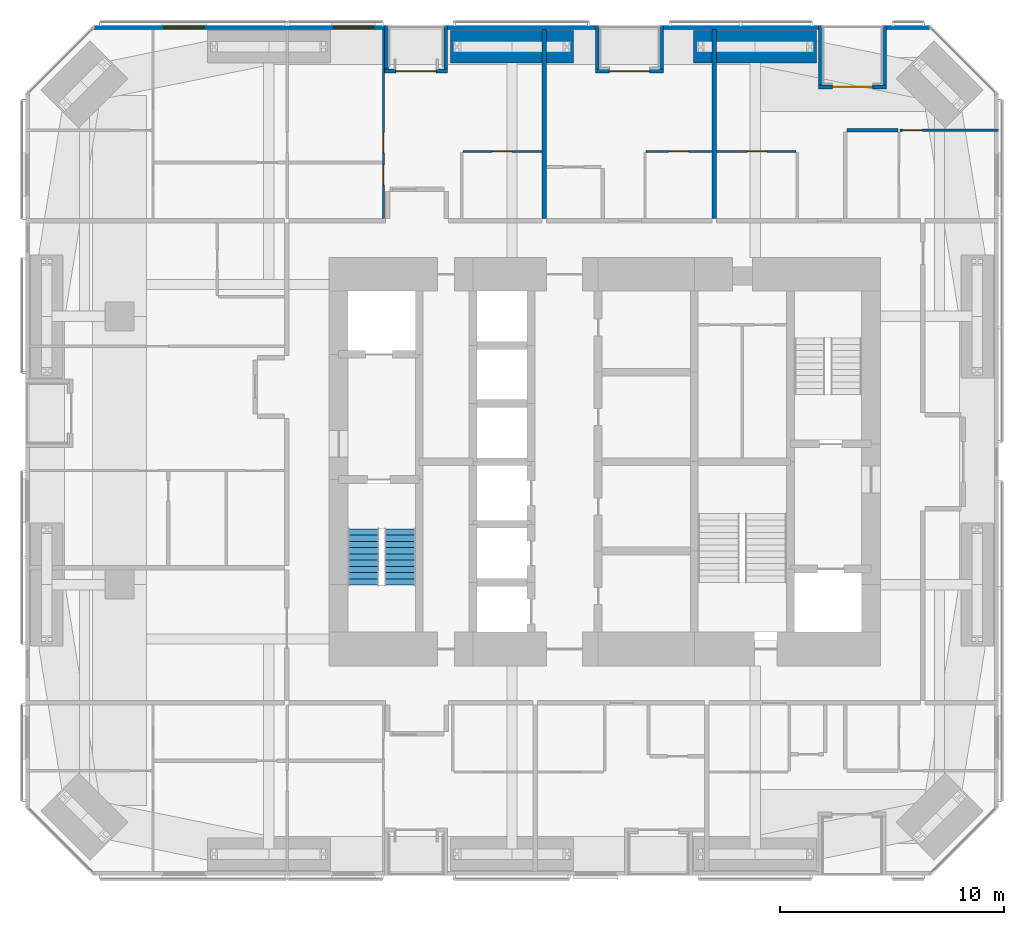
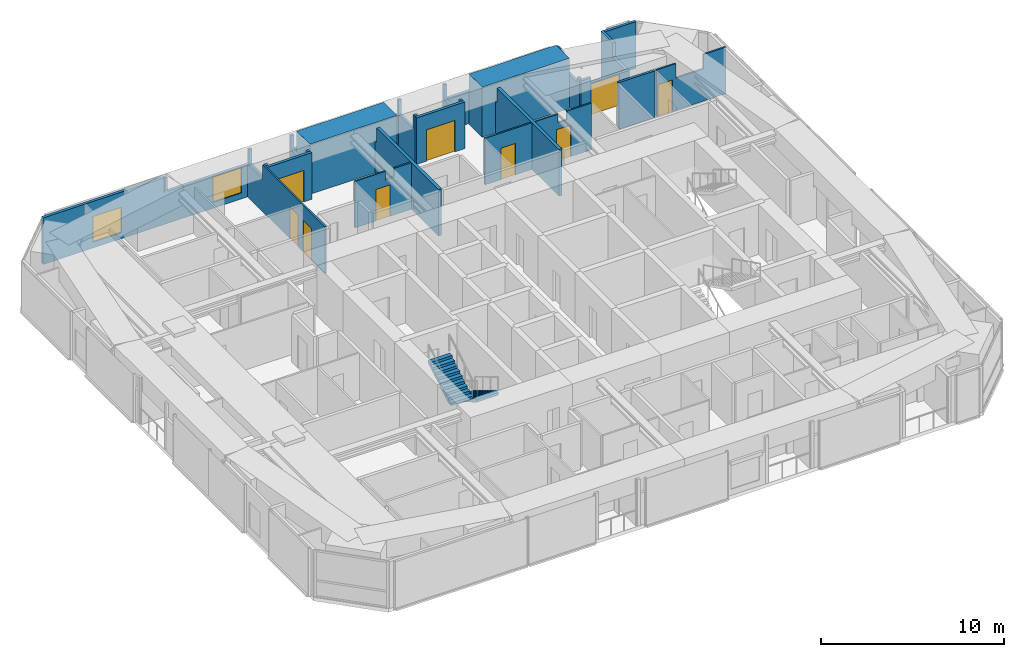
# One storey, part 23 of 25: 24 walls, 9 doors, 2 stair flights, 2 windows, 11 openings, 1 element without a shape of its own.
"""IFC4 building model written with IfcOpenShell, lengths in metres."""

from ifc_helpers import new_model, si_unit, direction, frame, frame_2d, origin, place, context, subcontext, project, spatial, polyline, rectangle, outline, extrude, material, layer, layer_set, constituent, constituent_set, type_object, element, fill, aggregate, save


model = new_model("IFC4")

# Units and contexts
model_context = context("Model", 3, precision=1e-05, world=origin(), true_north=direction((0.0, 1.0)))
body_context = subcontext(model_context, "Body", "Model", "MODEL_VIEW")
ifc_project = project(units=[si_unit("LENGTHUNIT", "METRE"), si_unit("AREAUNIT", "SQUARE_METRE"), si_unit("VOLUMEUNIT", "CUBIC_METRE"), si_unit("PLANEANGLEUNIT", "RADIAN"), si_unit("MASSUNIT", "GRAM", prefix="KILO")], contexts=[model_context])

# Site, building, storey
site_placement = place(None, origin())
site = spatial("IfcSite", under=ifc_project, at=site_placement, CompositionType="ELEMENT")
building_placement = place(site_placement, origin())
building = spatial("IfcBuilding", under=site, at=building_placement, Name="Jalousie Tower", CompositionType="ELEMENT")
storey_placement = place(building_placement, frame((0.0, 0.0, 94.800048828125)))
storey = spatial("IfcBuildingStorey", under=building, at=storey_placement, Name="L25", CompositionType="ELEMENT", Elevation=94.800048828125)

# Walls
ifc_material_1 = material(Name="Concrete block ASTM C90", Category="concrete")
ifc_constituent_1 = constituent(ifc_material_1, Name="Body")
ifc_material_2 = material(Name="Render")
ifc_constituent_2 = constituent(ifc_material_2, Name="Finish")
ifc_constituent_set_1 = constituent_set(constituents=[ifc_constituent_1, ifc_constituent_2])
wall_type_1 = type_object("IfcWallType", Name="BATHROOM WALL 150", PredefinedType="PLUMBINGWALL", material=ifc_constituent_set_1)
wall_1_placement = place(storey_placement, frame((42.72509765625, 33.32421875, 0.0), z_axis=(0.0, 0.0, 1.0), x_axis=(1.0, 0.0, 0.0)))
element("IfcWall", 1, at=wall_1_placement, inside=storey, type_object=wall_type_1, Name="Bathroom Wall 150 L25", PredefinedType="PLUMBINGWALL", context=body_context, shape_type="SweptSolid", body=[
    extrude(rectangle(XDim=2.27490234375, YDim=0.14990234375, at=frame_2d((1.137451171875, 0.0))), origin(), (0.0, 0.0, 1.0), 3.10986328125),
])
ifc_material_3 = material(Name="Concrete f'c 40 MPa", Category="concrete")
ifc_constituent_3 = constituent(ifc_material_3, Name="Body")
ifc_material_4 = material(Name="Render, pastel sea green")
ifc_constituent_4 = constituent(ifc_material_4, Name="Finish")
ifc_constituent_set_2 = constituent_set(constituents=[ifc_constituent_3, ifc_constituent_4])
wall_type_2 = type_object("IfcWallType", Name="EXTERNAL WALL 175 SEA GREEN RENDER", PredefinedType="SOLIDWALL", material=ifc_constituent_set_2)
wall_2_placement = place(storey_placement, frame((46.44873046875, 37.91259765625, 0.0), z_axis=(0.0, 0.0, 1.0), x_axis=(-1.0, 0.0, 0.0)))
element("IfcWall", 2, at=wall_2_placement, inside=storey, type_object=wall_type_2, Name="External Wall 175 Sea Green Render L25", PredefinedType="SOLIDWALL", context=body_context, shape_type="SweptSolid", body=[
    extrude(rectangle(XDim=1.949951171875, YDim=0.175048828125, at=frame_2d((0.97509765625, 0.0))), origin(), (0.0, 0.0, 1.0), 3.10986328125),
])
wall_3_placement = place(storey_placement, frame((41.44873046875, 37.91259765625, 0.0), z_axis=(0.0, 0.0, 1.0), x_axis=(-1.0, 0.0, 0.0)))
element("IfcWall", 3, at=wall_3_placement, inside=storey, type_object=wall_type_2, Name="External Wall 175 Sea Green Render L25", PredefinedType="SOLIDWALL", context=body_context, shape_type="SweptSolid", body=[
    extrude(outline(polyline([(0.0, 0.0), (6.923828125, 0.0), (6.923583984375, 2.14990234375), (2.82373046875, 2.14990234375), (2.82373046875, 3.10986328125), (2.66552734375, 3.10986328125), (2.66552734375, 2.14990234375), (2.620361328125, 2.14990234375), (2.620361328125, 3.10986328125), (0.0, 3.10986328125), (0.0, 0.0)])), frame((0.0, 0.08740234375, 0.0), z_axis=(0.0, -1.0, 0.0), x_axis=(1.0, 0.0, 0.0)), (0.0, 0.0, 1.0), 0.175048828125),
])
wall_4_placement = place(storey_placement, frame((31.47509765625, 37.91259765625, 0.0), z_axis=(0.0, 0.0, 1.0), x_axis=(-1.0, 0.0, 0.0)))
element("IfcWall", 4, at=wall_4_placement, inside=storey, type_object=wall_type_2, Name="External Wall 175 Sea Green Render L25", PredefinedType="SOLIDWALL", context=body_context, shape_type="SweptSolid", body=[
    extrude(rectangle(XDim=6.60009765625, YDim=0.175048828125, at=frame_2d((3.300048828125, 0.0))), origin(), (0.0, 0.0, 1.0), 2.14990234375),
])

# Wall, openings, windows
wall_5_placement = place(storey_placement, frame((22.050048828125, 37.91259765625, 0.0), z_axis=(0.0, 0.0, 1.0), x_axis=(-1.0, 0.0, 0.0)))
wall_5 = element("IfcWall", 5, at=wall_5_placement, inside=storey, type_object=wall_type_2, Name="External Wall 175 Sea Green Render L25", PredefinedType="SOLIDWALL", context=body_context, shape_type="SweptSolid", body=[
    extrude(outline(polyline([(0.0, 0.0), (12.998779296875, 0.0), (12.998779296875, 3.10986328125), (5.37841796875, 3.10986328125), (5.37841796875, 2.14990234375), (5.3330078125, 2.14990234375), (5.3330078125, 3.10986328125), (5.175048828125, 3.10986328125), (5.175048828125, 2.14990234375), (0.0, 2.14990234375), (0.0, 0.0)])), frame((0.0, 0.08740234375, 0.0), z_axis=(0.0, -1.0, 0.0), x_axis=(1.0, 0.0, 0.0)), (0.0, 0.0, 1.0), 0.175048828125),
])
opening_1_placement = place(wall_5_placement, frame((0.492431640625, 0.0, 0.39990234375)))
opening_1 = element("IfcOpeningElement", 6, at=opening_1_placement, cuts=wall_5, Name="Opening W-BED170", PredefinedType="OPENING", context=body_context, shape_type="SweptSolid", body=[
    extrude(rectangle(XDim=1.800048828125, YDim=1.699951171875, at=frame_2d((0.89990234375, 0.85009765625))), frame((0.0, 0.097412109375, 0.0), z_axis=(0.0, -1.0, 0.0), x_axis=(1.0, 0.0, 0.0)), (0.0, 0.0, 1.0), 0.195068359375),
])
opening_2_placement = place(wall_5_placement, frame((8.06494140625, 0.0, 0.39990234375)))
opening_2 = element("IfcOpeningElement", 7, at=opening_2_placement, cuts=wall_5, Name="Opening W-BED170", PredefinedType="OPENING", context=body_context, shape_type="SweptSolid", body=[
    extrude(rectangle(XDim=1.800048828125, YDim=1.699951171875, at=frame_2d((0.89990234375, 0.85009765625))), frame((0.0, 0.097412109375, 0.0), z_axis=(0.0, -1.0, 0.0), x_axis=(1.0, 0.0, 0.0)), (0.0, 0.0, 1.0), 0.195068359375),
])
ifc_material_5 = material(Name="Aluminium frame, impact-rated glazing", Category="aluminium")
window_type = type_object("IfcWindowType", Name="WINDOW BED 1800x1700", PartitioningType="SINGLE_PANEL", PredefinedType="WINDOW", material=ifc_material_5)
window_1_placement = place(opening_1_placement, origin())
window_1 = element("IfcWindow", 8, at=window_1_placement, inside=storey, type_object=window_type, Name="Apartment 2504 bedroom 3 window", OverallHeight=1.699951171875, OverallWidth=1.800048828125, PartitioningType="SINGLE_PANEL", PredefinedType="WINDOW", context=body_context, shape_type="SweptSolid", body=[
    extrude(rectangle(XDim=1.800048828125, YDim=1.699951171875, at=frame_2d((0.89990234375, 0.85009765625))), frame((0.0, 0.030029296875, 0.0), z_axis=(0.0, -1.0, 0.0), x_axis=(1.0, 0.0, 0.0)), (0.0, 0.0, 1.0), 0.06005859375),
])
fill(opening_1, window_1)
window_2_placement = place(opening_2_placement, origin())
window_2 = element("IfcWindow", 9, at=window_2_placement, inside=storey, type_object=window_type, Name="Apartment 2504 bedroom 2 window", OverallHeight=1.699951171875, OverallWidth=1.800048828125, PartitioningType="SINGLE_PANEL", PredefinedType="WINDOW", context=body_context, shape_type="SweptSolid", body=[
    extrude(rectangle(XDim=1.800048828125, YDim=1.699951171875, at=frame_2d((0.89990234375, 0.85009765625))), frame((0.0, 0.030029296875, 0.0), z_axis=(0.0, -1.0, 0.0), x_axis=(1.0, 0.0, 0.0)), (0.0, 0.0, 1.0), 0.06005859375),
])
fill(opening_2, window_2)

# Wall, opening, door
wall_6_placement = place(storey_placement, frame((44.498779296875, 35.262451171875, 0.0), z_axis=(0.0, 0.0, 1.0), x_axis=(-1.0, 0.0, 0.0)))
wall_6 = element("IfcWall", 10, at=wall_6_placement, inside=storey, type_object=wall_type_2, Name="External Wall 175 Sea Green Render L25-A", PredefinedType="SOLIDWALL", context=body_context, shape_type="SweptSolid", body=[
    extrude(rectangle(XDim=2.425048828125, YDim=0.175048828125, at=frame_2d((1.21240234375, 0.0))), origin(), (0.0, 0.0, 1.0), 2.14990234375),
])
opening_3_placement = place(wall_6_placement, frame((0.625, 0.0, 0.0)))
opening_3 = element("IfcOpeningElement", 11, at=opening_3_placement, cuts=wall_6, Name="Opening D-BAL21", PredefinedType="OPENING", context=body_context, shape_type="SweptSolid", body=[
    extrude(rectangle(XDim=1.800048828125, YDim=2.10009765625, at=frame_2d((0.89990234375, 1.050048828125))), frame((0.0, 0.097412109375, 0.0), z_axis=(0.0, -1.0, 0.0), x_axis=(1.0, 0.0, 0.0)), (0.0, 0.0, 1.0), 0.195068359375),
])
ifc_material_6 = material(Name="Aluminium frame, impact-rated glazing", Category="aluminium")
door_type_1 = type_object("IfcDoorType", Name="BALCONY DOOR 1800x2100", OperationType="SLIDING_TO_LEFT", PredefinedType="DOOR", material=ifc_material_6)
door_1_placement = place(opening_3_placement, origin())
door_1 = element("IfcDoor", 12, at=door_1_placement, inside=storey, type_object=door_type_1, Name="Apartment 2506 living and dining room loggia door", OperationType="SLIDING_TO_LEFT", OverallHeight=2.10009765625, OverallWidth=1.800048828125, PredefinedType="DOOR", context=body_context, shape_type="SweptSolid", body=[
    extrude(rectangle(XDim=1.800048828125, YDim=2.10009765625, at=frame_2d((0.89990234375, 1.050048828125))), frame((0.0, 0.02490234375, 0.0), z_axis=(0.0, -1.0, 0.0), x_axis=(1.0, 0.0, 0.0)), (0.0, 0.0, 1.0), 0.050048828125),
])
fill(opening_3, door_1)

# Walls
wall_7_placement = place(storey_placement, frame((42.07373046875, 35.262451171875, 0.0), z_axis=(0.0, 0.0, 1.0), x_axis=(-1.0, 0.0, 0.0)))
element("IfcWall", 13, at=wall_7_placement, inside=storey, type_object=wall_type_2, Name="External Wall 175 Sea Green Render L25-B", PredefinedType="SOLIDWALL", context=body_context, shape_type="SweptSolid", body=[
    extrude(rectangle(XDim=0.625, YDim=0.175048828125, at=frame_2d((0.3125, 0.0))), origin(), (0.0, 0.0, 1.0), 2.510009765625),
])
wall_8_placement = place(storey_placement, frame((44.4111328125, 38.0, 0.0), z_axis=(0.0, 0.0, 1.0), x_axis=(0.0, -1.0, 0.0)))
element("IfcWall", 14, at=wall_8_placement, inside=storey, type_object=wall_type_2, Name="External Wall 175 Sea Green Render L25", PredefinedType="SOLIDWALL", context=body_context, shape_type="SweptSolid", body=[
    extrude(outline(polyline([(0.0, 0.0), (2.64990234375, 0.0), (2.64990234375, 2.14990234375), (1.2958984375, 2.14990234375), (1.2958984375, 3.10986328125), (0.0, 3.10986328125), (0.0, 0.0)])), frame((0.0, 0.08740234375, 0.0), z_axis=(0.0, -1.0, 0.0), x_axis=(1.0, 0.0, 0.0)), (0.0, 0.0, 1.0), 0.175048828125),
])
wall_9_placement = place(storey_placement, frame((41.5361328125, 38.0, 0.0), z_axis=(0.0, 0.0, 1.0), x_axis=(0.0, -1.0, 0.0)))
element("IfcWall", 15, at=wall_9_placement, inside=storey, type_object=wall_type_2, Name="External Wall 175 Sea Green Render L25", PredefinedType="SOLIDWALL", context=body_context, shape_type="SweptSolid", body=[
    extrude(outline(polyline([(0.0, 0.0), (2.64990234375, 0.0), (2.64990234375, 2.510009765625), (2.378173828125, 2.510009765625), (2.378173828125, 2.14990234375), (0.70947265625, 2.14990234375), (0.70947265625, 3.10986328125), (0.0, 3.10986328125), (0.0, 0.0)])), frame((0.0, 0.08740234375, 0.0), z_axis=(0.0, -1.0, 0.0), x_axis=(1.0, 0.0, 0.0)), (0.0, 0.0, 1.0), 0.175048828125),
])

# Wall, opening, door
wall_10_placement = place(storey_placement, frame((34.52490234375, 35.96240234375, 0.0), z_axis=(0.0, 0.0, 1.0), x_axis=(-1.0, 0.0, 0.0)))
wall_10 = element("IfcWall", 16, at=wall_10_placement, inside=storey, type_object=wall_type_2, Name="External Wall 175 Sea Green Render L25", PredefinedType="SOLIDWALL", context=body_context, shape_type="SweptSolid", body=[
    extrude(rectangle(XDim=3.0498046875, YDim=0.175048828125, at=frame_2d((1.52490234375, 0.0))), origin(), (0.0, 0.0, 1.0), 3.10986328125),
])
opening_4_placement = place(wall_10_placement, frame((0.625, 0.0, 0.0)))
opening_4 = element("IfcOpeningElement", 17, at=opening_4_placement, cuts=wall_10, Name="Opening D-BAL21", PredefinedType="OPENING", context=body_context, shape_type="SweptSolid", body=[
    extrude(rectangle(XDim=1.800048828125, YDim=2.10009765625, at=frame_2d((0.89990234375, 1.050048828125))), frame((0.0, 0.097412109375, 0.0), z_axis=(0.0, -1.0, 0.0), x_axis=(1.0, 0.0, 0.0)), (0.0, 0.0, 1.0), 0.195068359375),
])
door_2_placement = place(opening_4_placement, origin())
door_2 = element("IfcDoor", 18, at=door_2_placement, inside=storey, type_object=door_type_1, Name="Apartment 2505 studio living and sleeping room loggia door", OperationType="SLIDING_TO_LEFT", OverallHeight=2.10009765625, OverallWidth=1.800048828125, PredefinedType="DOOR", context=body_context, shape_type="SweptSolid", body=[
    extrude(rectangle(XDim=1.800048828125, YDim=2.10009765625, at=frame_2d((0.89990234375, 1.050048828125))), frame((0.0, 0.02490234375, 0.0), z_axis=(0.0, -1.0, 0.0), x_axis=(1.0, 0.0, 0.0)), (0.0, 0.0, 1.0), 0.050048828125),
])
fill(opening_4, door_2)

# Walls
for number, where, z_axis, x_axis, name in (
    (19, (34.4375, 38.0, 0.0), (0.0, 0.0, 1.0), (0.0, -1.0, 0.0), "External Wall 175 Sea Green Render L25"),
    (20, (31.5625, 38.0, 0.0), (0.0, 0.0, 1.0), (0.0, -1.0, 0.0), "External Wall 175 Sea Green Render L25"),
):
    element("IfcWall", number, at=place(storey_placement, frame(where, z_axis=z_axis, x_axis=x_axis)), inside=storey, type_object=wall_type_2, Name=name, PredefinedType="SOLIDWALL", context=body_context, shape_type="SweptSolid", body=[
        extrude(outline(polyline([(0.0, 0.0), (1.949951171875, 0.0), (1.949951171875, 3.10986328125), (1.75, 3.10986328125), (1.75, 2.14990234375), (0.14990234375, 2.14990234375), (0.14990234375, 3.10986328125), (0.0, 3.10986328125), (0.0, 0.0)])), frame((0.0, 0.08740234375, 0.0), z_axis=(0.0, -1.0, 0.0), x_axis=(1.0, 0.0, 0.0)), (0.0, 0.0, 1.0), 0.175048828125),
    ])

# Wall, opening, door
wall_11_placement = place(storey_placement, frame((24.875, 35.96240234375, 0.0), z_axis=(0.0, 0.0, 1.0), x_axis=(-1.0, 0.0, 0.0)))
wall_11 = element("IfcWall", 21, at=wall_11_placement, inside=storey, type_object=wall_type_2, Name="External Wall 175 Sea Green Render L25", PredefinedType="SOLIDWALL", context=body_context, shape_type="SweptSolid", body=[
    extrude(rectangle(XDim=2.824951171875, YDim=0.175048828125, at=frame_2d((1.41259765625, 0.0))), origin(), (0.0, 0.0, 1.0), 3.10986328125),
])
opening_5_placement = place(wall_11_placement, frame((0.512451171875, 0.0, 0.0)))
opening_5 = element("IfcOpeningElement", 22, at=opening_5_placement, cuts=wall_11, Name="Opening D-BAL21", PredefinedType="OPENING", context=body_context, shape_type="SweptSolid", body=[
    extrude(rectangle(XDim=1.800048828125, YDim=2.10009765625, at=frame_2d((0.89990234375, 1.050048828125))), frame((0.0, 0.097412109375, 0.0), z_axis=(0.0, -1.0, 0.0), x_axis=(1.0, 0.0, 0.0)), (0.0, 0.0, 1.0), 0.195068359375),
])
door_3_placement = place(opening_5_placement, origin())
door_3 = element("IfcDoor", 23, at=door_3_placement, inside=storey, type_object=door_type_1, Name="Apartment 2504 living and dining room loggia door", OperationType="SLIDING_TO_LEFT", OverallHeight=2.10009765625, OverallWidth=1.800048828125, PredefinedType="DOOR", context=body_context, shape_type="SweptSolid", body=[
    extrude(rectangle(XDim=1.800048828125, YDim=2.10009765625, at=frame_2d((0.89990234375, 1.050048828125))), frame((0.0, 0.02490234375, 0.0), z_axis=(0.0, -1.0, 0.0), x_axis=(1.0, 0.0, 0.0)), (0.0, 0.0, 1.0), 0.050048828125),
])
fill(opening_5, door_3)

# Walls
for number, where, z_axis, x_axis, name in (
    (24, (24.78759765625, 38.0, 0.0), (0.0, 0.0, 1.0), (0.0, -1.0, 0.0), "External Wall 175 Sea Green Render L25"),
    (25, (22.137451171875, 38.0, 0.0), (0.0, 0.0, 1.0), (0.0, -1.0, 0.0), "External Wall 175 Sea Green Render L25"),
):
    element("IfcWall", number, at=place(storey_placement, frame(where, z_axis=z_axis, x_axis=x_axis)), inside=storey, type_object=wall_type_2, Name=name, PredefinedType="SOLIDWALL", context=body_context, shape_type="SweptSolid", body=[
        extrude(outline(polyline([(0.0, 0.0), (1.949951171875, 0.0), (1.949951171875, 3.10986328125), (1.75, 3.10986328125), (1.75, 2.14990234375), (0.14990234375, 2.14990234375), (0.14990234375, 3.10986328125), (0.0, 3.10986328125), (0.0, 0.0)])), frame((0.0, 0.08740234375, 0.0), z_axis=(0.0, -1.0, 0.0), x_axis=(1.0, 0.0, 0.0)), (0.0, 0.0, 1.0), 0.175048828125),
    ])

# Wall, openings, doors
ifc_material_7 = material(Name="Gypsum board", Category="gypsum")
ifc_constituent_5 = constituent(ifc_material_7, Name="Body")
ifc_material_8 = material(Name="Light-gauge steel studs ASTM A653 SS Grade 33", Category="steel")
ifc_constituent_6 = constituent(ifc_material_8, Name="Framing")
ifc_constituent_set_3 = constituent_set(constituents=[ifc_constituent_5, ifc_constituent_6])
wall_type_3 = type_object("IfcWallType", Name="PARTITION 100", PredefinedType="PARTITIONING", material=ifc_constituent_set_3)
wall_12_placement = place(storey_placement, frame((22.0, 37.824951171875, 0.0), z_axis=(0.0, 0.0, 1.0), x_axis=(0.0, -1.0, 0.0)))
wall_12 = element("IfcWall", 26, at=wall_12_placement, inside=storey, type_object=wall_type_3, Name="Partition 100 L25", PredefinedType="PARTITIONING", context=body_context, shape_type="SweptSolid", body=[
    extrude(outline(polyline([(0.0, 0.0), (8.449951171875, 0.0), (8.449951171875, 3.10986328125), (1.635009765625, 3.10986328125), (1.635009765625, 2.14990234375), (0.0, 2.14990234375), (0.0, 3.10986328125), (0.0, 0.0)])), frame((0.0, 0.050048828125, 0.0), z_axis=(0.0, -1.0, 0.0), x_axis=(1.0, 0.0, 0.0)), (0.0, 0.0, 1.0), 0.10009765625),
])
opening_6_placement = place(wall_12_placement, frame((4.60009765625, 0.0, 0.0)))
opening_6 = element("IfcOpeningElement", 27, at=opening_6_placement, cuts=wall_12, Name="Opening D2", PredefinedType="OPENING", context=body_context, shape_type="SweptSolid", body=[
    extrude(rectangle(XDim=0.89990234375, YDim=2.10009765625, at=frame_2d((0.449951171875, 1.050048828125))), frame((0.0, 0.06005859375, 0.0), z_axis=(0.0, -1.0, 0.0), x_axis=(1.0, 0.0, 0.0)), (0.0, 0.0, 1.0), 0.1201171875),
])
opening_7_placement = place(wall_12_placement, frame((6.050048828125, 0.0, 0.0)))
opening_7 = element("IfcOpeningElement", 28, at=opening_7_placement, cuts=wall_12, Name="Opening D7", PredefinedType="OPENING", context=body_context, shape_type="SweptSolid", body=[
    extrude(rectangle(XDim=0.89990234375, YDim=2.10009765625, at=frame_2d((0.449951171875, 1.050048828125))), frame((0.0, 0.06005859375, 0.0), z_axis=(0.0, -1.0, 0.0), x_axis=(1.0, 0.0, 0.0)), (0.0, 0.0, 1.0), 0.1201171875),
])
ifc_material_9 = material(Name="Timber door", Category="wood")
door_type_2 = type_object("IfcDoorType", Name="BEDROOM DOOR 900", OperationType="SINGLE_SWING_LEFT", PredefinedType="DOOR", material=ifc_material_9)
door_4_placement = place(opening_6_placement, frame((0.89990234375, 0.0, 0.0), z_axis=(0.0, 0.0, 1.0), x_axis=(-1.0, 0.0, 0.0)))
door_4 = element("IfcDoor", 29, at=door_4_placement, inside=storey, type_object=door_type_2, Name="Apartment 2504 bedroom 3 door", OperationType="SINGLE_SWING_LEFT", OverallHeight=2.10009765625, OverallWidth=0.89990234375, PredefinedType="DOOR", context=body_context, shape_type="SweptSolid", body=[
    extrude(rectangle(XDim=0.89990234375, YDim=2.10009765625, at=frame_2d((0.449951171875, 1.050048828125))), frame((0.0, 0.02490234375, 0.0), z_axis=(0.0, -1.0, 0.0), x_axis=(1.0, 0.0, 0.0)), (0.0, 0.0, 1.0), 0.050048828125),
])
fill(opening_6, door_4)
ifc_material_10 = material(Name="Timber door", Category="wood")
door_type_3 = type_object("IfcDoorType", Name="INTERNAL DOOR 900", OperationType="SINGLE_SWING_LEFT", PredefinedType="DOOR", material=ifc_material_10)
door_5_placement = place(opening_7_placement, frame((0.89990234375, 0.0, 0.0), z_axis=(0.0, 0.0, 1.0), x_axis=(-1.0, 0.0, 0.0)))
door_5 = element("IfcDoor", 30, at=door_5_placement, inside=storey, type_object=door_type_3, Name="Apartment 2504 bathroom door", OperationType="SINGLE_SWING_RIGHT", OverallHeight=2.10009765625, OverallWidth=0.89990234375, PredefinedType="DOOR", context=body_context, shape_type="SweptSolid", body=[
    extrude(rectangle(XDim=0.89990234375, YDim=2.10009765625, at=frame_2d((0.449951171875, 1.050048828125))), frame((0.0, 0.02490234375, 0.0), z_axis=(0.0, -1.0, 0.0), x_axis=(1.0, 0.0, 0.0)), (0.0, 0.0, 1.0), 0.050048828125),
])
fill(opening_7, door_5)

# Wall, opening, door
wall_13_placement = place(storey_placement, frame((25.550048828125, 32.375, 0.0), z_axis=(0.0, 0.0, 1.0), x_axis=(1.0, 0.0, 0.0)))
wall_13 = element("IfcWall", 31, at=wall_13_placement, inside=storey, type_object=wall_type_3, Name="Partition 100 L25", PredefinedType="PARTITIONING", context=body_context, shape_type="SweptSolid", body=[
    extrude(outline(polyline([(0.0, 0.0), (3.550048828125, 0.0), (3.550048828125, 3.10986328125), (2.4873046875, 3.10986328125), (2.4873046875, 2.541015625), (1.91259765625, 2.541015625), (1.91259765625, 3.10986328125), (0.0, 3.10986328125), (0.0, 0.0)])), frame((0.0, 0.050048828125, 0.0), z_axis=(0.0, -1.0, 0.0), x_axis=(1.0, 0.0, 0.0)), (0.0, 0.0, 1.0), 0.10009765625),
])
opening_8_placement = place(wall_13_placement, frame((1.300048828125, 0.0, 0.0)))
opening_8 = element("IfcOpeningElement", 32, at=opening_8_placement, cuts=wall_13, Name="Opening D7", PredefinedType="OPENING", context=body_context, shape_type="SweptSolid", body=[
    extrude(rectangle(XDim=0.89990234375, YDim=2.10009765625, at=frame_2d((0.449951171875, 1.050048828125))), frame((0.0, 0.06005859375, 0.0), z_axis=(0.0, -1.0, 0.0), x_axis=(1.0, 0.0, 0.0)), (0.0, 0.0, 1.0), 0.1201171875),
])
door_6_placement = place(opening_8_placement, origin())
door_6 = element("IfcDoor", 33, at=door_6_placement, inside=storey, type_object=door_type_3, Name="Apartment 2504 kitchen door", OperationType="SINGLE_SWING_RIGHT", OverallHeight=2.10009765625, OverallWidth=0.89990234375, PredefinedType="DOOR", context=body_context, shape_type="SweptSolid", body=[
    extrude(rectangle(XDim=0.89990234375, YDim=2.10009765625, at=frame_2d((0.449951171875, 1.050048828125))), frame((0.0, 0.02490234375, 0.0), z_axis=(0.0, -1.0, 0.0), x_axis=(1.0, 0.0, 0.0)), (0.0, 0.0, 1.0), 0.050048828125),
])
fill(opening_8, door_6)

wall_14_placement = place(storey_placement, frame((33.75, 32.375, 0.0), z_axis=(0.0, 0.0, 1.0), x_axis=(1.0, 0.0, 0.0)))
wall_14 = element("IfcWall", 34, at=wall_14_placement, inside=storey, type_object=wall_type_3, Name="Partition 100 L25", PredefinedType="PARTITIONING", context=body_context, shape_type="SweptSolid", body=[
    extrude(rectangle(XDim=2.949951171875, YDim=0.10009765625, at=frame_2d((1.47509765625, 0.0))), origin(), (0.0, 0.0, 1.0), 3.10986328125),
])
opening_9_placement = place(wall_14_placement, frame((1.0, 0.0, 0.0)))
opening_9 = element("IfcOpeningElement", 35, at=opening_9_placement, cuts=wall_14, Name="Opening D7", PredefinedType="OPENING", context=body_context, shape_type="SweptSolid", body=[
    extrude(rectangle(XDim=0.89990234375, YDim=2.10009765625, at=frame_2d((0.449951171875, 1.050048828125))), frame((0.0, 0.06005859375, 0.0), z_axis=(0.0, -1.0, 0.0), x_axis=(1.0, 0.0, 0.0)), (0.0, 0.0, 1.0), 0.1201171875),
])
door_7_placement = place(opening_9_placement, frame((0.89990234375, 0.0, 0.0), z_axis=(0.0, 0.0, 1.0), x_axis=(-1.0, 0.0, 0.0)))
door_7 = element("IfcDoor", 36, at=door_7_placement, inside=storey, type_object=door_type_3, Name="Apartment 2505 kitchen door", OperationType="SINGLE_SWING_RIGHT", OverallHeight=2.10009765625, OverallWidth=0.89990234375, PredefinedType="DOOR", context=body_context, shape_type="SweptSolid", body=[
    extrude(rectangle(XDim=0.89990234375, YDim=2.10009765625, at=frame_2d((0.449951171875, 1.050048828125))), frame((0.0, 0.02490234375, 0.0), z_axis=(0.0, -1.0, 0.0), x_axis=(1.0, 0.0, 0.0)), (0.0, 0.0, 1.0), 0.050048828125),
])
fill(opening_9, door_7)

wall_15_placement = place(storey_placement, frame((45.10009765625, 33.32421875, 0.0), z_axis=(0.0, 0.0, 1.0), x_axis=(1.0, 0.0, 0.0)))
wall_15 = element("IfcWall", 37, at=wall_15_placement, inside=storey, type_object=wall_type_3, Name="Partition 100 L25", PredefinedType="PARTITIONING", context=body_context, shape_type="SweptSolid", body=[
    extrude(outline(polyline([(0.0, 0.0), (4.39990234375, 0.0), (4.39990234375, 3.10986328125), (2.971435546875, 3.10986328125), (2.971435546875, 2.14990234375), (1.22900390625, 2.14990234375), (1.22900390625, 3.10986328125), (0.0, 3.10986328125), (0.0, 0.0)])), frame((0.0, 0.050048828125, 0.0), z_axis=(0.0, -1.0, 0.0), x_axis=(1.0, 0.0, 0.0)), (0.0, 0.0, 1.0), 0.10009765625),
])
opening_10_placement = place(wall_15_placement, frame((0.10009765625, 0.0, 0.0)))
opening_10 = element("IfcOpeningElement", 38, at=opening_10_placement, cuts=wall_15, Name="Opening D2", PredefinedType="OPENING", context=body_context, shape_type="SweptSolid", body=[
    extrude(rectangle(XDim=0.89990234375, YDim=2.10009765625, at=frame_2d((0.449951171875, 1.050048828125))), frame((0.0, 0.06005859375, 0.0), z_axis=(0.0, -1.0, 0.0), x_axis=(1.0, 0.0, 0.0)), (0.0, 0.0, 1.0), 0.1201171875),
])
door_8_placement = place(opening_10_placement, frame((0.89990234375, 0.0, 0.0), z_axis=(0.0, 0.0, 1.0), x_axis=(-1.0, 0.0, 0.0)))
door_8 = element("IfcDoor", 39, at=door_8_placement, inside=storey, type_object=door_type_2, Name="Apartment 2506 bedroom 1 door", OperationType="SINGLE_SWING_RIGHT", OverallHeight=2.10009765625, OverallWidth=0.89990234375, PredefinedType="DOOR", context=body_context, shape_type="SweptSolid", body=[
    extrude(rectangle(XDim=0.89990234375, YDim=2.10009765625, at=frame_2d((0.449951171875, 1.050048828125))), frame((0.0, 0.02490234375, 0.0), z_axis=(0.0, -1.0, 0.0), x_axis=(1.0, 0.0, 0.0)), (0.0, 0.0, 1.0), 0.050048828125),
])
fill(opening_10, door_8)

wall_16_placement = place(storey_placement, frame((36.89990234375, 32.375, 0.0), z_axis=(0.0, 0.0, 1.0), x_axis=(1.0, 0.0, 0.0)))
wall_16 = element("IfcWall", 40, at=wall_16_placement, inside=storey, type_object=wall_type_3, Name="Partition 100 L25", PredefinedType="PARTITIONING", context=body_context, shape_type="SweptSolid", body=[
    extrude(outline(polyline([(0.0, 0.0), (3.550048828125, 0.0), (3.550048828125, 3.10986328125), (2.012451171875, 3.10986328125), (2.012451171875, 2.541015625), (1.4375, 2.541015625), (1.4375, 3.10986328125), (0.0, 3.10986328125), (0.0, 0.0)])), frame((0.0, 0.050048828125, 0.0), z_axis=(0.0, -1.0, 0.0), x_axis=(1.0, 0.0, 0.0)), (0.0, 0.0, 1.0), 0.10009765625),
])
opening_11_placement = place(wall_16_placement, frame((1.35009765625, 0.0, 0.0)))
opening_11 = element("IfcOpeningElement", 41, at=opening_11_placement, cuts=wall_16, Name="Opening D7", PredefinedType="OPENING", context=body_context, shape_type="SweptSolid", body=[
    extrude(rectangle(XDim=0.89990234375, YDim=2.10009765625, at=frame_2d((0.449951171875, 1.050048828125))), frame((0.0, 0.06005859375, 0.0), z_axis=(0.0, -1.0, 0.0), x_axis=(1.0, 0.0, 0.0)), (0.0, 0.0, 1.0), 0.1201171875),
])
door_9_placement = place(opening_11_placement, origin())
door_9 = element("IfcDoor", 42, at=door_9_placement, inside=storey, type_object=door_type_3, Name="Apartment 2506 kitchen door", OperationType="SINGLE_SWING_LEFT", OverallHeight=2.10009765625, OverallWidth=0.89990234375, PredefinedType="DOOR", context=body_context, shape_type="SweptSolid", body=[
    extrude(rectangle(XDim=0.89990234375, YDim=2.10009765625, at=frame_2d((0.449951171875, 1.050048828125))), frame((0.0, 0.02490234375, 0.0), z_axis=(0.0, -1.0, 0.0), x_axis=(1.0, 0.0, 0.0)), (0.0, 0.0, 1.0), 0.050048828125),
])
fill(opening_11, door_9)

# Walls
ifc_material_11 = material(Name="Concrete block ASTM C90", Category="concrete")
ifc_constituent_7 = constituent(ifc_material_11, Name="Body")
ifc_material_12 = material(Name="Render")
ifc_constituent_8 = constituent(ifc_material_12, Name="Finish")
ifc_constituent_set_4 = constituent_set(constituents=[ifc_constituent_7, ifc_constituent_8])
wall_type_4 = type_object("IfcWallType", Name="PARTY WALL 200", PredefinedType="PARTITIONING", material=ifc_constituent_set_4)
wall_17_placement = place(storey_placement, frame((29.199951171875, 37.824951171875, 0.0), z_axis=(0.0, 0.0, 1.0), x_axis=(0.0, -1.0, 0.0)))
element("IfcWall", 43, at=wall_17_placement, inside=storey, type_object=wall_type_4, Name="Party Wall 200 L25", PredefinedType="PARTITIONING", context=body_context, shape_type="SweptSolid", body=[
    extrude(outline(polyline([(0.52880859375, 2.14990234375), (0.0, 2.14990234375), (0.0, 0.0), (0.52880859375, 0.0), (0.52880859375, 0.5126953125), (1.021240234375, 0.5126953125), (1.021240234375, 0.0), (8.449951171875, 0.0), (8.449951171875, 3.10986328125), (1.68505859375, 3.10986328125), (1.68505859375, 2.14990234375), (1.021240234375, 2.14990234375), (1.021240234375, 1.63720703125), (0.52880859375, 1.63720703125), (0.52880859375, 2.14990234375)])), frame((0.0, 0.10009765625, 0.0), z_axis=(0.0, -1.0, 0.0), x_axis=(1.0, 0.0, 0.0)), (0.0, 0.0, 1.0), 0.199951171875),
])
wall_18_placement = place(storey_placement, frame((36.800048828125, 37.824951171875, 0.0), z_axis=(0.0, 0.0, 1.0), x_axis=(0.0, -1.0, 0.0)))
element("IfcWall", 44, at=wall_18_placement, inside=storey, type_object=wall_type_4, Name="Party Wall 200 L25", PredefinedType="PARTITIONING", context=body_context, shape_type="SweptSolid", body=[
    extrude(outline(polyline([(0.52880859375, 2.14990234375), (0.0, 2.14990234375), (0.0, 0.0), (0.52880859375, 0.0), (0.52880859375, 0.25634765625), (1.021240234375, 0.25634765625), (1.021240234375, 0.0), (8.449951171875, 0.0), (8.449951171875, 3.10986328125), (1.68505859375, 3.10986328125), (1.68505859375, 2.14990234375), (1.021240234375, 2.14990234375), (1.021240234375, 1.8935546875), (0.52880859375, 1.8935546875), (0.52880859375, 2.14990234375)])), frame((0.0, 0.10009765625, 0.0), z_axis=(0.0, -1.0, 0.0), x_axis=(1.0, 0.0, 0.0)), (0.0, 0.0, 1.0), 0.199951171875),
])
ifc_material_13 = material(Name="Concrete f'c 120 MPa", Category="concrete")
ifc_layer = layer(ifc_material_13, 1.449951171875)
ifc_layer_set = layer_set([ifc_layer], Name="Concrete f'c 120 MPa")
wall_type_5 = type_object("IfcWallType", Name="RC WALL PIER 1450", PredefinedType="SHEAR", material=ifc_layer_set)
for number, where, z_axis, x_axis, name in (
    (45, (35.875, 37.050048828125, 0.0), (0.0, 0.0, 1.0), (1.0, 0.0, 0.0), "Wall pier 09 L25"),
    (46, (25.0, 37.050048828125, 0.0), (0.0, 0.0, 1.0), (1.0, 0.0, 0.0), "Wall pier 10 L25"),
):
    element("IfcWall", number, at=place(storey_placement, frame(where, z_axis=z_axis, x_axis=x_axis)), inside=storey, type_object=wall_type_5, Name=name, PredefinedType="SHEAR", context=body_context, shape_type="SweptSolid", body=[
        extrude(rectangle(XDim=5.5, YDim=1.449951171875, at=frame_2d((2.75, 0.0))), origin(), (0.0, 0.0, 1.0), 3.349853515625),
    ])

# Stair, stair flights
ifc_material_14 = material(Name="Concrete f'c 40 MPa", Category="concrete")
stair_type = type_object("IfcStairType", Name="EXIT STAIR", PredefinedType="HALF_TURN_STAIR", material=ifc_material_14)
stair_placement = place(storey_placement, origin())
stair = element("IfcStair", 47, at=stair_placement, inside=storey, type_object=stair_type, Name="Exit stair A L25", PredefinedType="HALF_TURN_STAIR")
ifc_material_15 = material(Name="Concrete f'c 40 MPa", Category="concrete")
stair_flight_type = type_object("IfcStairFlightType", Name="STAIR FLIGHT", PredefinedType="STRAIGHT", material=ifc_material_15)
stair_flight_1_placement = place(storey_placement, frame((22.737548828125, 15.49755859375, 0.0), z_axis=(0.0, 0.0, 1.0), x_axis=(0.0, -1.0, 0.0)))
stair_flight_1 = element("IfcStairFlight", 48, at=stair_flight_1_placement, type_object=stair_flight_type, Name="ST-A flight 1", NumberOfRisers=10, NumberOfTreads=9, PredefinedType="STRAIGHT", RiserHeight=0.1675, TreadLength=0.28, context=body_context, shape_type="SweptSolid", body=[
    extrude(outline(polyline([(0.0, 0.0), (0.0, 0.16748046875), (0.280029296875, 0.16748046875), (0.280029296875, 0.3349609375), (0.56005859375, 0.3349609375), (0.56005859375, 0.50244140625), (0.840087890625, 0.50244140625), (0.840087890625, 0.669921875), (1.1201171875, 0.669921875), (1.1201171875, 0.83740234375), (1.39990234375, 0.83740234375), (1.39990234375, 1.0048828125), (1.679931640625, 1.0048828125), (1.679931640625, 1.172607421875), (1.9599609375, 1.172607421875), (1.9599609375, 1.340087890625), (2.239990234375, 1.340087890625), (2.239990234375, 1.507568359375), (2.52001953125, 1.507568359375), (2.52001953125, 1.675048828125), (2.52001953125, 1.332763671875), (0.2919921875, 0.0), (0.0, 0.0)])), frame((0.0, 0.6875, 0.0), z_axis=(0.0, -1.0, 0.0), x_axis=(1.0, 0.0, 0.0)), (0.0, 0.0, 1.0), 1.375),
])
stair_flight_2_placement = place(storey_placement, frame((21.112548828125, 12.9775390625, 1.675048828125), z_axis=(0.0, 0.0, 1.0), x_axis=(0.0, 1.0, 0.0)))
stair_flight_2 = element("IfcStairFlight", 49, at=stair_flight_2_placement, type_object=stair_flight_type, Name="ST-A flight 2", NumberOfRisers=10, NumberOfTreads=9, PredefinedType="STRAIGHT", RiserHeight=0.1675, TreadLength=0.28, context=body_context, shape_type="SweptSolid", body=[
    extrude(outline(polyline([(0.0, 0.0), (0.0, 0.16748046875), (0.280029296875, 0.16748046875), (0.280029296875, 0.3349609375), (0.56005859375, 0.3349609375), (0.56005859375, 0.50244140625), (0.840087890625, 0.50244140625), (0.840087890625, 0.669921875), (1.1201171875, 0.669921875), (1.1201171875, 0.83740234375), (1.39990234375, 0.83740234375), (1.39990234375, 1.0048828125), (1.679931640625, 1.0048828125), (1.679931640625, 1.172607421875), (1.9599609375, 1.172607421875), (1.9599609375, 1.340087890625), (2.239990234375, 1.340087890625), (2.239990234375, 1.507568359375), (2.52001953125, 1.507568359375), (2.52001953125, 1.675048828125), (2.52001953125, 1.332763671875), (0.2919921875, 0.0), (0.0, 0.0)])), frame((0.0, 0.6875, 0.0), z_axis=(0.0, -1.0, 0.0), x_axis=(1.0, 0.0, 0.0)), (0.0, 0.0, 1.0), 1.375),
])
aggregate(stair, [stair_flight_1, stair_flight_2])

save(model, "model.ifc")
